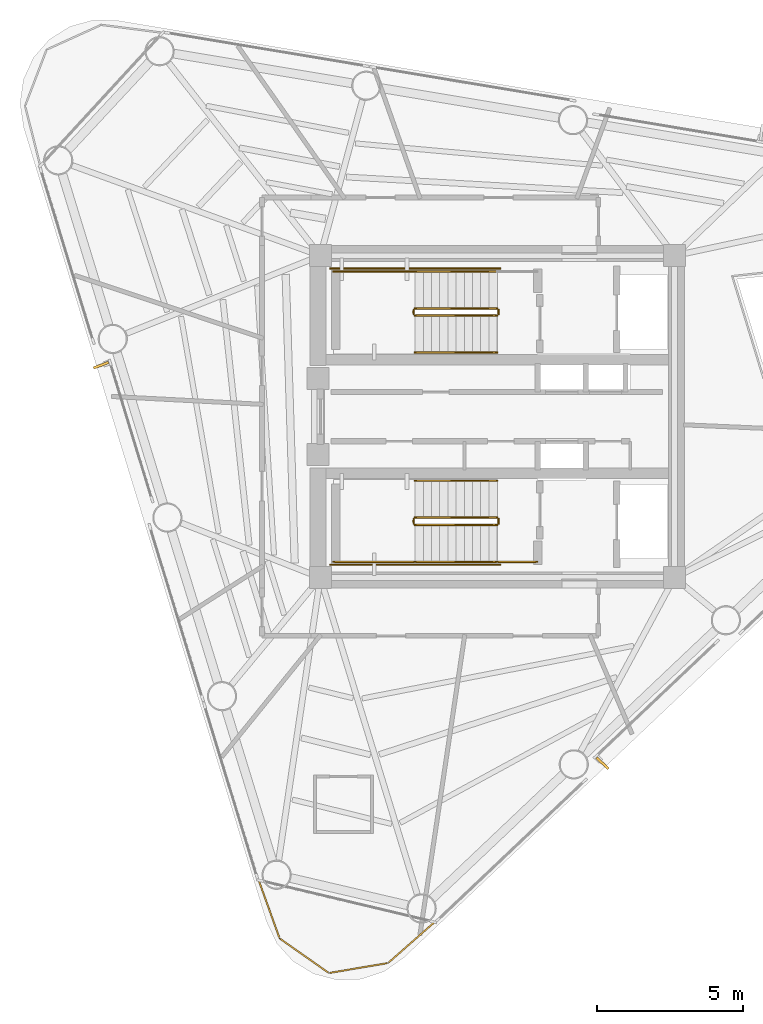
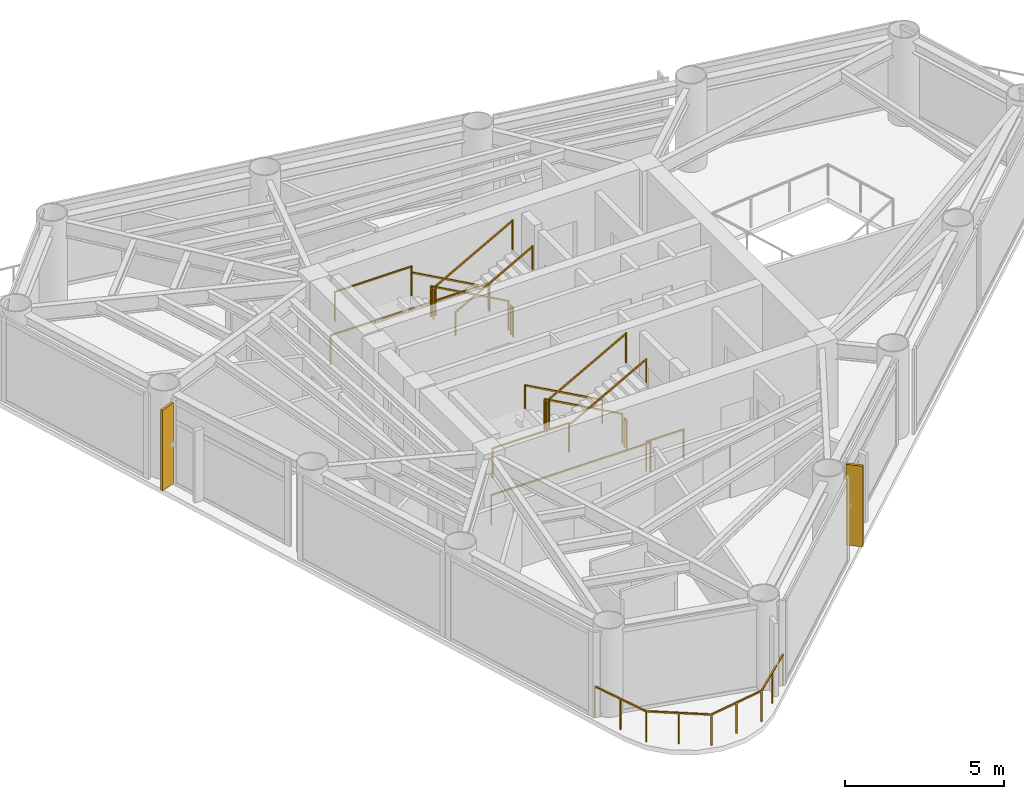
# One storey, part 7 of 8: 18 railings, 2 shading devices.
"""IFC4 building model written with IfcOpenShell, lengths in metres."""

from ifc_helpers import new_model, si_unit, direction, frame, origin, origin_2d, place, context, subcontext, project, spatial, rectangle, extrude, source, transform, mapped, material, material_profile, profile_set, type_object, element, save


model = new_model("IFC4")

# Units and contexts
model_context = context("Model", 3, precision=1e-05, world=origin(), true_north=direction((0.0, 1.0)))
body_context = subcontext(model_context, "Body", "Model", "MODEL_VIEW")
ifc_project = project(units=[si_unit("LENGTHUNIT", "METRE"), si_unit("AREAUNIT", "SQUARE_METRE"), si_unit("VOLUMEUNIT", "CUBIC_METRE"), si_unit("PLANEANGLEUNIT", "RADIAN"), si_unit("MASSUNIT", "GRAM", prefix="KILO")], contexts=[model_context])

# Site, building, storey
site_placement = place(None, origin())
site = spatial("IfcSite", under=ifc_project, at=site_placement, CompositionType="ELEMENT")
building_placement = place(site_placement, origin())
building = spatial("IfcBuilding", under=site, at=building_placement, Name="Yunling Apex Tower", CompositionType="ELEMENT")
storey_placement = place(building_placement, frame((0.0, 0.0, 235.449951171875)))
storey = spatial("IfcBuildingStorey", under=building, at=storey_placement, Name="L57", CompositionType="ELEMENT", Elevation=235.449951171875)

# Railings
ifc_material_1 = material(Name="Bronze anodised aluminium", Category="aluminium")
railing_type_1 = type_object("IfcRailingType", Name="RL-BAL-1200", PredefinedType="BALUSTRADE", material=ifc_material_1)
railing_1_placement = place(storey_placement, frame((-2.147216796875, -17.2724609375, 0.0)))
element("IfcRailing", 1, at=railing_1_placement, inside=storey, type_object=railing_type_1, Name="RL-CRNSILL-L57-3", PredefinedType="BALUSTRADE", context=body_context, shape_type="SweptSolid", body=[
    extrude(rectangle(XDim=0.0439453125, YDim=0.0439453125, at=origin_2d()), origin(), (0.0, 0.0, 1.0), 1.199951171875),
    extrude(rectangle(XDim=0.0439453125, YDim=0.0439453125, at=origin_2d()), frame((-1.58740234375, -1.396728515625, 0.0)), (0.0, 0.0, 1.0), 1.199951171875),
    extrude(rectangle(XDim=0.050048828125, YDim=0.050048828125, at=origin_2d()), frame((-0.02880859375, -0.025390625, 1.1748046875), z_axis=(-0.750757036125, -0.660578437968, 0.0), x_axis=(0.660578437968, -0.750757036125, 0.0)), (0.0, 0.0, 1.0), 2.037841796875),
    extrude(rectangle(XDim=0.0439453125, YDim=0.0439453125, at=origin_2d()), frame((-0.793701171875, -0.6982421875, 0.0)), (0.0, 0.0, 1.0), 1.14599609375),
    extrude(rectangle(XDim=0.0439453125, YDim=0.0439453125, at=origin_2d()), frame((-3.609130859375, -1.738525390625, 0.0)), (0.0, 0.0, 1.0), 1.199951171875),
    extrude(rectangle(XDim=0.050048828125, YDim=0.050048828125, at=origin_2d()), frame((-1.625244140625, -1.403076171875, 1.1748046875), z_axis=(-0.986008296857, -0.166696246299, 0.0), x_axis=(0.166696246299, -0.986008296857, 0.0)), (0.0, 0.0, 1.0), 1.973876953125),
    extrude(rectangle(XDim=0.0439453125, YDim=0.0439453125, at=origin_2d()), frame((-2.59814453125, -1.567626953125, 0.0)), (0.0, 0.0, 1.0), 1.14599609375),
    extrude(rectangle(XDim=0.0439453125, YDim=0.0439453125, at=origin_2d()), frame((-5.29296875, -0.556884765625, 0.0)), (0.0, 0.0, 1.0), 1.199951171875),
    extrude(rectangle(XDim=0.050048828125, YDim=0.050048828125, at=origin_2d()), frame((-3.640625, -1.716552734375, 1.1748046875), z_axis=(-0.818556692462, 0.574425749096, 0.0), x_axis=(-0.574425749096, -0.818556692462, 0.0)), (0.0, 0.0, 1.0), 1.98046875),
    extrude(rectangle(XDim=0.0439453125, YDim=0.0439453125, at=origin_2d()), frame((-4.451171875, -1.147705078125, 0.0)), (0.0, 0.0, 1.0), 1.14599609375),
    extrude(rectangle(XDim=0.0439453125, YDim=0.0439453125, at=origin_2d()), frame((-6.0087890625, 1.431884765625, 0.0)), (0.0, 0.0, 1.0), 1.199951171875),
    extrude(rectangle(XDim=0.050048828125, YDim=0.050048828125, at=origin_2d()), frame((-5.305908203125, -0.520751953125, 1.1748046875), z_axis=(-0.338662205699, 0.940908024427, 0.0), x_axis=(-0.940908024427, -0.338662205699, 0.0)), (0.0, 0.0, 1.0), 2.037109375),
    extrude(rectangle(XDim=0.0439453125, YDim=0.0439453125, at=origin_2d()), frame((-5.65087890625, 0.4375, 0.0)), (0.0, 0.0, 1.0), 1.14599609375),
])
ifc_material_2 = material(Name="Steel Q355B", Category="steel")
railing_type_2 = type_object("IfcRailingType", Name="RL-GRD-1150", PredefinedType="GUARDRAIL", material=ifc_material_2)
railing_2_placement = place(storey_placement, frame((-0.010009765625, 3.699951171875, 0.154541015625)))
element("IfcRailing", 2, at=railing_2_placement, inside=storey, type_object=railing_type_2, Name="L57 ST-1 stair guard 1", PredefinedType="GUARDRAIL", context=body_context, shape_type="SweptSolid", body=[
    extrude(rectangle(XDim=0.0439453125, YDim=0.0439453125, at=origin_2d()), origin(), (0.0, 0.0, 1.0), 1.14990234375),
    extrude(rectangle(XDim=0.0439453125, YDim=0.0439453125, at=origin_2d()), frame((-2.800048828125, 0.0, 1.54541015625)), (0.0, 0.0, 1.0), 1.14990234375),
    extrude(rectangle(XDim=0.050048828125, YDim=0.050048828125, at=origin_2d()), frame((-0.033447265625, 0.0, 1.143310546875), z_axis=(-0.875504190374, 0.0, 0.483210526207), x_axis=(0.0, -1.0, 0.0)), (0.0, 0.0, 1.0), 3.12158203125),
])
railing_3_placement = place(storey_placement, frame((-2.860107421875, 3.64990234375, 1.699951171875)))
element("IfcRailing", 3, at=railing_3_placement, inside=storey, type_object=railing_type_2, Name="L57 ST-1 stair guard 2", PredefinedType="GUARDRAIL", context=body_context, shape_type="SweptSolid", body=[
    extrude(rectangle(XDim=0.0439453125, YDim=0.0439453125, at=origin_2d()), origin(), (0.0, 0.0, 1.0), 1.14990234375),
    extrude(rectangle(XDim=0.0439453125, YDim=0.0439453125, at=origin_2d()), frame((0.0, -0.14990234375, 0.0)), (0.0, 0.0, 1.0), 1.14990234375),
    extrude(rectangle(XDim=0.050048828125, YDim=0.050048828125, at=origin_2d()), frame((0.0, -0.038330078125, 1.125), z_axis=(0.0, -1.0, 0.0), x_axis=(1.0, 0.0, 0.0)), (0.0, 0.0, 1.0), 0.0732421875),
])
railing_4_placement = place(storey_placement, frame((-2.81005859375, 4.9599609375, 1.699951171875)))
element("IfcRailing", 4, at=railing_4_placement, inside=storey, type_object=railing_type_2, Name="L57 ST-1 stair guard 3", PredefinedType="GUARDRAIL", context=body_context, shape_type="SweptSolid", body=[
    extrude(rectangle(XDim=0.0439453125, YDim=0.0439453125, at=origin_2d()), origin(), (0.0, 0.0, 1.0), 1.14990234375),
    extrude(rectangle(XDim=0.0439453125, YDim=0.0439453125, at=origin_2d()), frame((-2.7900390625, 0.0, 0.0)), (0.0, 0.0, 1.0), 1.14990234375),
    extrude(rectangle(XDim=0.050048828125, YDim=0.050048828125, at=origin_2d()), frame((-0.038330078125, 0.0, 1.125), z_axis=(-1.0, 0.0, 0.0), x_axis=(0.0, -1.0, 0.0)), (0.0, 0.0, 1.0), 2.71337890625),
])
railing_5_placement = place(storey_placement, frame((-2.81005859375, 3.449951171875, 1.8544921875)))
element("IfcRailing", 5, at=railing_5_placement, inside=storey, type_object=railing_type_2, Name="L57 ST-1 stair guard 4", PredefinedType="GUARDRAIL", context=body_context, shape_type="SweptSolid", body=[
    extrude(rectangle(XDim=0.0439453125, YDim=0.0439453125, at=origin_2d()), origin(), (0.0, 0.0, 1.0), 1.14990234375),
    extrude(rectangle(XDim=0.0439453125, YDim=0.0439453125, at=origin_2d()), frame((2.800048828125, 0.0, 1.545654296875)), (0.0, 0.0, 1.0), 1.14990234375),
    extrude(rectangle(XDim=0.050048828125, YDim=0.050048828125, at=origin_2d()), frame((0.033447265625, 0.0, 1.143310546875), z_axis=(0.875471895205, 0.0, 0.483269035534), x_axis=(0.0, 1.0, 0.0)), (0.0, 0.0, 1.0), 3.12158203125),
])
railing_6_placement = place(storey_placement, frame((0.0400390625, 3.64990234375, 0.0)))
element("IfcRailing", 6, at=railing_6_placement, inside=storey, type_object=railing_type_2, Name="L57 ST-1 stair guard 5", PredefinedType="GUARDRAIL", context=body_context, shape_type="SweptSolid", body=[
    extrude(rectangle(XDim=0.0439453125, YDim=0.0439453125, at=origin_2d()), origin(), (0.0, 0.0, 1.0), 1.14990234375),
    extrude(rectangle(XDim=0.0439453125, YDim=0.0439453125, at=origin_2d()), frame((0.0, -0.14990234375, 0.0)), (0.0, 0.0, 1.0), 1.14990234375),
    extrude(rectangle(XDim=0.050048828125, YDim=0.050048828125, at=origin_2d()), frame((0.0, -0.038330078125, 1.125), z_axis=(0.0, -1.0, 0.0), x_axis=(1.0, 0.0, 0.0)), (0.0, 0.0, 1.0), 0.0732421875),
])
railing_7_placement = place(storey_placement, frame((0.090087890625, 5.06005859375, 0.0)))
element("IfcRailing", 7, at=railing_7_placement, inside=storey, type_object=railing_type_2, Name="L57 ST-1 stair guard 7", PredefinedType="GUARDRAIL", context=body_context, shape_type="SweptSolid", body=[
    extrude(rectangle(XDim=0.0439453125, YDim=0.0439453125, at=origin_2d()), origin(), (0.0, 0.0, 1.0), 1.14990234375),
    extrude(rectangle(XDim=0.0439453125, YDim=0.0439453125, at=origin_2d()), frame((-5.7900390625, 0.0, 0.0)), (0.0, 0.0, 1.0), 1.14990234375),
    extrude(rectangle(XDim=0.050048828125, YDim=0.050048828125, at=origin_2d()), frame((-0.038330078125, 0.0, 1.125), z_axis=(-1.0, 0.0, 0.0), x_axis=(0.0, -1.0, 0.0)), (0.0, 0.0, 1.0), 5.71337890625),
])
railing_8_placement = place(storey_placement, frame((-0.010009765625, -3.449951171875, 0.154541015625)))
element("IfcRailing", 8, at=railing_8_placement, inside=storey, type_object=railing_type_2, Name="L57 ST-2 stair guard 1", PredefinedType="GUARDRAIL", context=body_context, shape_type="SweptSolid", body=[
    extrude(rectangle(XDim=0.0439453125, YDim=0.0439453125, at=origin_2d()), origin(), (0.0, 0.0, 1.0), 1.14990234375),
    extrude(rectangle(XDim=0.0439453125, YDim=0.0439453125, at=origin_2d()), frame((-2.800048828125, 0.0, 1.54541015625)), (0.0, 0.0, 1.0), 1.14990234375),
    extrude(rectangle(XDim=0.050048828125, YDim=0.050048828125, at=origin_2d()), frame((-0.033447265625, 0.0, 1.143310546875), z_axis=(-0.875504190374, 0.0, 0.483210526207), x_axis=(0.0, -1.0, 0.0)), (0.0, 0.0, 1.0), 3.12158203125),
])
railing_9_placement = place(storey_placement, frame((-2.860107421875, -3.5, 1.699951171875)))
element("IfcRailing", 9, at=railing_9_placement, inside=storey, type_object=railing_type_2, Name="L57 ST-2 stair guard 2", PredefinedType="GUARDRAIL", context=body_context, shape_type="SweptSolid", body=[
    extrude(rectangle(XDim=0.0439453125, YDim=0.0439453125, at=origin_2d()), origin(), (0.0, 0.0, 1.0), 1.14990234375),
    extrude(rectangle(XDim=0.0439453125, YDim=0.0439453125, at=origin_2d()), frame((0.0, -0.14990234375, 0.0)), (0.0, 0.0, 1.0), 1.14990234375),
    extrude(rectangle(XDim=0.050048828125, YDim=0.050048828125, at=origin_2d()), frame((0.0, -0.038330078125, 1.125), z_axis=(0.0, -1.0, 0.0), x_axis=(1.0, 0.0, 0.0)), (0.0, 0.0, 1.0), 0.0732421875),
])
railing_10_placement = place(storey_placement, frame((-2.81005859375, -4.9599609375, 1.699951171875)))
element("IfcRailing", 10, at=railing_10_placement, inside=storey, type_object=railing_type_2, Name="L57 ST-2 stair guard 3", PredefinedType="GUARDRAIL", context=body_context, shape_type="SweptSolid", body=[
    extrude(rectangle(XDim=0.0439453125, YDim=0.0439453125, at=origin_2d()), origin(), (0.0, 0.0, 1.0), 1.14990234375),
    extrude(rectangle(XDim=0.0439453125, YDim=0.0439453125, at=origin_2d()), frame((-2.7900390625, 0.0, 0.0)), (0.0, 0.0, 1.0), 1.14990234375),
    extrude(rectangle(XDim=0.050048828125, YDim=0.050048828125, at=origin_2d()), frame((-0.038330078125, 0.0, 1.125), z_axis=(-1.0, 0.0, 0.0), x_axis=(0.0, -1.0, 0.0)), (0.0, 0.0, 1.0), 2.71337890625),
])
railing_11_placement = place(storey_placement, frame((-2.81005859375, -3.699951171875, 1.8544921875)))
element("IfcRailing", 11, at=railing_11_placement, inside=storey, type_object=railing_type_2, Name="L57 ST-2 stair guard 4", PredefinedType="GUARDRAIL", context=body_context, shape_type="SweptSolid", body=[
    extrude(rectangle(XDim=0.0439453125, YDim=0.0439453125, at=origin_2d()), origin(), (0.0, 0.0, 1.0), 1.14990234375),
    extrude(rectangle(XDim=0.0439453125, YDim=0.0439453125, at=origin_2d()), frame((2.800048828125, 0.0, 1.545654296875)), (0.0, 0.0, 1.0), 1.14990234375),
    extrude(rectangle(XDim=0.050048828125, YDim=0.050048828125, at=origin_2d()), frame((0.033447265625, 0.0, 1.143310546875), z_axis=(0.875471895205, 0.0, 0.483269035534), x_axis=(0.0, 1.0, 0.0)), (0.0, 0.0, 1.0), 3.12158203125),
])
railing_12_placement = place(storey_placement, frame((0.0400390625, -3.5, 0.0)))
element("IfcRailing", 12, at=railing_12_placement, inside=storey, type_object=railing_type_2, Name="L57 ST-2 stair guard 5", PredefinedType="GUARDRAIL", context=body_context, shape_type="SweptSolid", body=[
    extrude(rectangle(XDim=0.0439453125, YDim=0.0439453125, at=origin_2d()), origin(), (0.0, 0.0, 1.0), 1.14990234375),
    extrude(rectangle(XDim=0.0439453125, YDim=0.0439453125, at=origin_2d()), frame((0.0, -0.14990234375, 0.0)), (0.0, 0.0, 1.0), 1.14990234375),
    extrude(rectangle(XDim=0.050048828125, YDim=0.050048828125, at=origin_2d()), frame((0.0, -0.038330078125, 1.125), z_axis=(0.0, -1.0, 0.0), x_axis=(1.0, 0.0, 0.0)), (0.0, 0.0, 1.0), 0.0732421875),
])
railing_13_placement = place(storey_placement, frame((1.35009765625, -4.9599609375, 0.0)))
element("IfcRailing", 13, at=railing_13_placement, inside=storey, type_object=railing_type_2, Name="L57 ST-2 stair guard 6", PredefinedType="GUARDRAIL", context=body_context, shape_type="SweptSolid", body=[
    extrude(rectangle(XDim=0.0439453125, YDim=0.0439453125, at=origin_2d()), origin(), (0.0, 0.0, 1.0), 1.14990234375),
    extrude(rectangle(XDim=0.0439453125, YDim=0.0439453125, at=origin_2d()), frame((-1.360107421875, 0.0, 0.0)), (0.0, 0.0, 1.0), 1.14990234375),
    extrude(rectangle(XDim=0.050048828125, YDim=0.050048828125, at=origin_2d()), frame((-0.038330078125, 0.0, 1.125), z_axis=(-1.0, 0.0, 0.0), x_axis=(0.0, -1.0, 0.0)), (0.0, 0.0, 1.0), 1.283447265625),
])
railing_14_placement = place(storey_placement, frame((0.090087890625, -5.06005859375, 0.0)))
element("IfcRailing", 14, at=railing_14_placement, inside=storey, type_object=railing_type_2, Name="L57 ST-2 stair guard 7", PredefinedType="GUARDRAIL", context=body_context, shape_type="SweptSolid", body=[
    extrude(rectangle(XDim=0.0439453125, YDim=0.0439453125, at=origin_2d()), origin(), (0.0, 0.0, 1.0), 1.14990234375),
    extrude(rectangle(XDim=0.0439453125, YDim=0.0439453125, at=origin_2d()), frame((-5.7900390625, 0.0, 0.0)), (0.0, 0.0, 1.0), 1.14990234375),
    extrude(rectangle(XDim=0.050048828125, YDim=0.050048828125, at=origin_2d()), frame((-0.038330078125, 0.0, 1.125), z_axis=(-1.0, 0.0, 0.0), x_axis=(0.0, -1.0, 0.0)), (0.0, 0.0, 1.0), 5.71337890625),
])
ifc_material_3 = material(Name="Silver anodised aluminium", Category="aluminium")
railing_type_3 = type_object("IfcRailingType", Name="RL-HND-900", PredefinedType="HANDRAIL", material=ifc_material_3)
railing_15_placement = place(storey_placement, frame((-0.010009765625, 4.9599609375, 0.154541015625)))
element("IfcRailing", 15, at=railing_15_placement, inside=storey, type_object=railing_type_3, Name="L57 ST-1 stair handrail 1", PredefinedType="HANDRAIL", context=body_context, shape_type="SweptSolid", body=[
    extrude(rectangle(XDim=0.0439453125, YDim=0.0439453125, at=origin_2d()), origin(), (0.0, 0.0, 1.0), 0.919921875),
    extrude(rectangle(XDim=0.0439453125, YDim=0.0439453125, at=origin_2d()), frame((-2.800048828125, 0.0, 1.54541015625)), (0.0, 0.0, 1.0), 0.919921875),
    extrude(rectangle(XDim=0.050048828125, YDim=0.050048828125, at=origin_2d()), frame((-0.033447265625, 0.0, 0.913330078125), z_axis=(-0.875504190374, 0.0, 0.483210526207), x_axis=(0.0, -1.0, 0.0)), (0.0, 0.0, 1.0), 3.12158203125),
])
railing_16_placement = place(storey_placement, frame((-2.81005859375, 2.18994140625, 1.8544921875)))
element("IfcRailing", 16, at=railing_16_placement, inside=storey, type_object=railing_type_3, Name="L57 ST-1 stair handrail 2", PredefinedType="HANDRAIL", context=body_context, shape_type="SweptSolid", body=[
    extrude(rectangle(XDim=0.0439453125, YDim=0.0439453125, at=origin_2d()), origin(), (0.0, 0.0, 1.0), 0.919921875),
    extrude(rectangle(XDim=0.0439453125, YDim=0.0439453125, at=origin_2d()), frame((2.800048828125, 0.0, 1.545654296875)), (0.0, 0.0, 1.0), 0.919921875),
    extrude(rectangle(XDim=0.050048828125, YDim=0.050048828125, at=origin_2d()), frame((0.033447265625, 0.0, 0.913330078125), z_axis=(0.875471895205, 0.0, 0.483269035534), x_axis=(0.0, 1.0, 0.0)), (0.0, 0.0, 1.0), 3.12158203125),
])
railing_17_placement = place(storey_placement, frame((-0.010009765625, -2.18994140625, 0.154541015625)))
element("IfcRailing", 17, at=railing_17_placement, inside=storey, type_object=railing_type_3, Name="L57 ST-2 stair handrail 1", PredefinedType="HANDRAIL", context=body_context, shape_type="SweptSolid", body=[
    extrude(rectangle(XDim=0.0439453125, YDim=0.0439453125, at=origin_2d()), origin(), (0.0, 0.0, 1.0), 0.919921875),
    extrude(rectangle(XDim=0.0439453125, YDim=0.0439453125, at=origin_2d()), frame((-2.800048828125, 0.0, 1.54541015625)), (0.0, 0.0, 1.0), 0.919921875),
    extrude(rectangle(XDim=0.050048828125, YDim=0.050048828125, at=origin_2d()), frame((-0.033447265625, 0.0, 0.913330078125), z_axis=(-0.875504190374, 0.0, 0.483210526207), x_axis=(0.0, -1.0, 0.0)), (0.0, 0.0, 1.0), 3.12158203125),
])
railing_18_placement = place(storey_placement, frame((-2.81005859375, -4.9599609375, 1.8544921875)))
element("IfcRailing", 18, at=railing_18_placement, inside=storey, type_object=railing_type_3, Name="L57 ST-2 stair handrail 2", PredefinedType="HANDRAIL", context=body_context, shape_type="SweptSolid", body=[
    extrude(rectangle(XDim=0.0439453125, YDim=0.0439453125, at=origin_2d()), origin(), (0.0, 0.0, 1.0), 0.919921875),
    extrude(rectangle(XDim=0.0439453125, YDim=0.0439453125, at=origin_2d()), frame((2.800048828125, 0.0, 1.545654296875)), (0.0, 0.0, 1.0), 0.919921875),
    extrude(rectangle(XDim=0.050048828125, YDim=0.050048828125, at=origin_2d()), frame((0.033447265625, 0.0, 0.913330078125), z_axis=(0.875471895205, 0.0, 0.483269035534), x_axis=(0.0, 1.0, 0.0)), (0.0, 0.0, 1.0), 3.12158203125),
])

# Shading devices
ifc_material_profile = material_profile(ifc_material_1, rectangle(XDim=0.0849609375, YDim=0.550048828125, at=origin_2d()))
ifc_profile_set = profile_set([ifc_material_profile], Name="Bronze anodised aluminium")
shading_device_type = type_object("IfcShadingDeviceType", Name="FN-BRZ-3", PredefinedType="USERDEFINED", material=ifc_profile_set)
shared_shape = source(origin(), body_context, "Body", "SweptSolid", [
    extrude(rectangle(XDim=0.0849609375, YDim=0.550048828125, at=origin_2d()), origin(), (0.0, 0.0, 1.0), 3.10009765625),
])
for number, where, z_axis, x_axis, name in (
    (19, (3.591552734375, -11.841064453125, 0.06005859375), (0.0, 0.0, 1.0), (0.679313233894, 0.733848438205, 0.0), "CW-L57-F1-B2-FIN-01"),
    (20, (-13.5419921875, 1.759521484375, 0.06005859375), (0.0, 0.0, 1.0), (0.354291037998, -0.935135209686, 0.0), "CW-L57-F3-B2-FIN-01"),
):
    element("IfcShadingDevice", number, at=place(storey_placement, frame(where, z_axis=z_axis, x_axis=x_axis)), inside=storey, type_object=shading_device_type, Name=name, ObjectType="FIN", PredefinedType="USERDEFINED", context=body_context, shape_type="MappedRepresentation", body=[
        mapped(shared_shape, transform((0.0, 0.0, 0.0), scale=1.0)),
    ])

save(model, "model.ifc")
